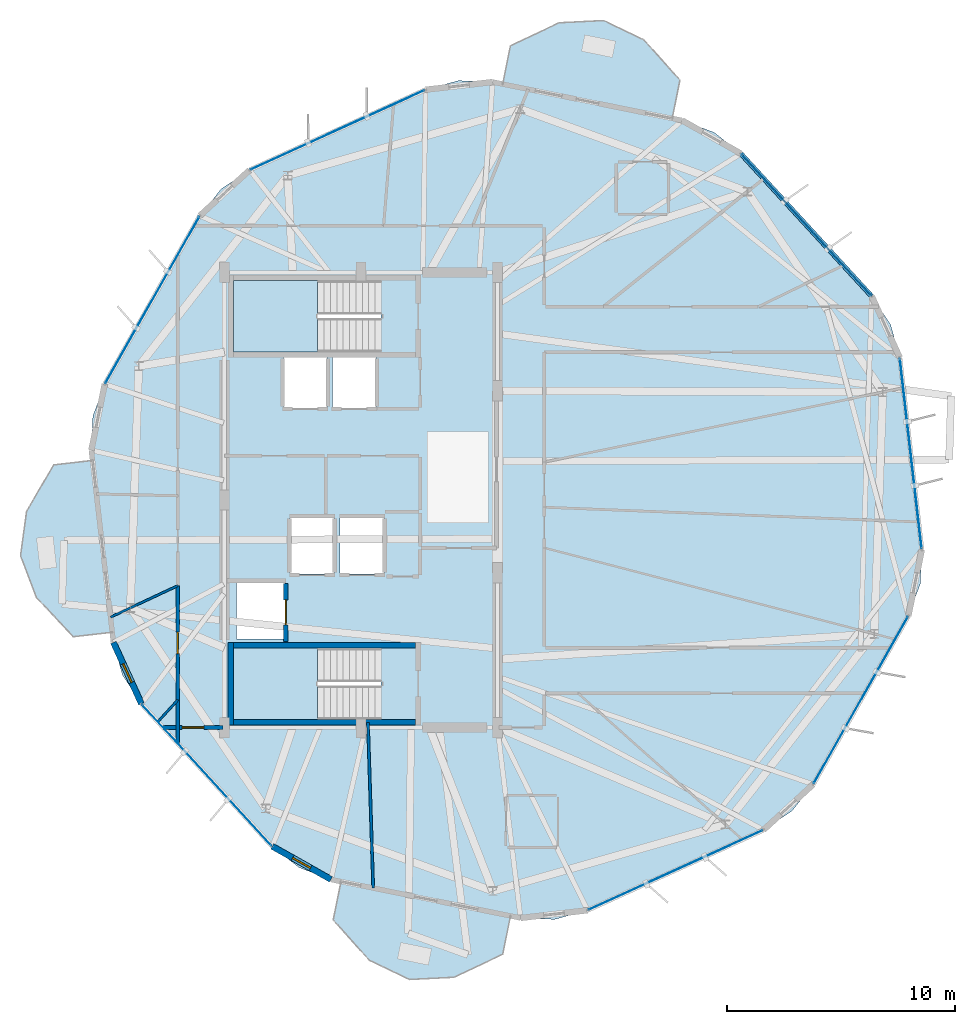
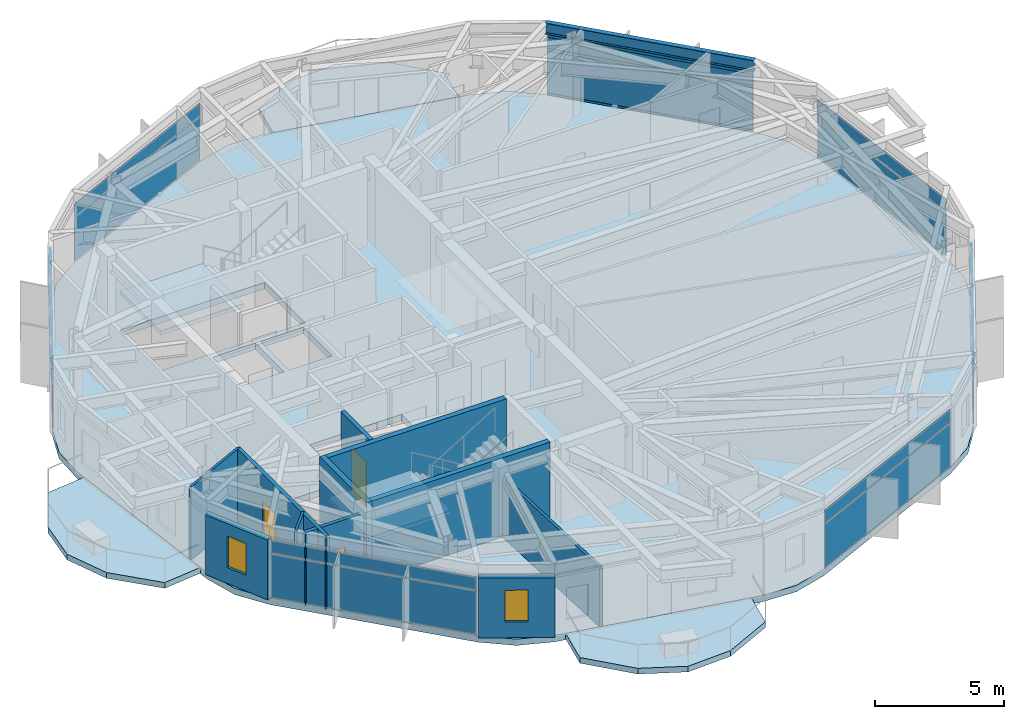
# One storey, part 16 of 23: 14 plates, 12 walls, 6 slabs, 3 doors, 3 members, 2 windows, 1 beam, 5 openings, 9 elements without a shape of their own.
"""IFC4 building model written with IfcOpenShell, lengths in metres."""

from ifc_helpers import new_model, si_unit, direction, frame, frame_2d, origin, origin_2d, place, context, subcontext, project, spatial, polyline, rectangle, hollow_rectangle, i_section, outline, extrude, material, layer, layer_set, material_profile, profile_set, type_object, element, fill, aggregate, save


model = new_model("IFC4")

# Units and contexts
model_context = context("Model", 3, precision=1e-05, world=origin(), true_north=direction((0.0, 1.0)))
body_context = subcontext(model_context, "Body", "Model", "MODEL_VIEW")
ifc_project = project(units=[si_unit("LENGTHUNIT", "METRE"), si_unit("AREAUNIT", "SQUARE_METRE"), si_unit("VOLUMEUNIT", "CUBIC_METRE"), si_unit("PLANEANGLEUNIT", "RADIAN"), si_unit("MASSUNIT", "GRAM", prefix="KILO")], contexts=[model_context])

# Site, building, storey
site_placement = place(None, origin())
site = spatial("IfcSite", under=ifc_project, at=site_placement, CompositionType="ELEMENT")
building_placement = place(site_placement, origin())
building = spatial("IfcBuilding", under=site, at=building_placement, Name="Soratama Intermodal Tower", CompositionType="ELEMENT")
storey_placement = place(building_placement, frame((0.0, 0.0, 261.25)))
storey = spatial("IfcBuildingStorey", under=building, at=storey_placement, Name="L66", CompositionType="ELEMENT", Elevation=261.25)

# Beam
ifc_material_1 = material(Name="Structural steel ASTM A992 Grade 50", Category="steel")
ifc_material_profile_1 = material_profile(ifc_material_1, i_section(OverallWidth=0.2099609375, OverallDepth=0.537109375, WebThickness=0.010986328125, FlangeThickness=0.017333984375, FilletRadius=0.012939453125, at=origin_2d()), Name="W21X68")
ifc_profile_set_1 = profile_set([ifc_material_profile_1], Name="Structural steel ASTM A992 Grade 50")
beam_type = type_object("IfcBeamType", Name="BM-SPN-W21X68", PredefinedType="SPANDREL", material=ifc_profile_set_1)
beam_placement = place(storey_placement, frame((61.047119140625, 33.95703125, 3.181396484375), z_axis=(-0.676048440126, 0.736857181958, 0.0), x_axis=(-0.736857181958, -0.676048440126, 0.0)))
element("IfcBeam", 1, at=beam_placement, inside=storey, type_object=beam_type, Name="BS-L66-F10", PredefinedType="SPANDREL", context=body_context, shape_type="SweptSolid", body=[
    extrude(i_section(OverallWidth=0.2099609375, OverallDepth=0.537109375, WebThickness=0.010986328125, FlangeThickness=0.017333984375, FilletRadius=0.012939453125, at=origin_2d()), origin(), (0.0, 0.0, 1.0), 8.49951171875),
])

# Curtain wall, members
ifc_material_2 = material(Name="Double-glazed aluminium curtain wall", Category="aluminium")
ifc_layer_1 = layer(ifc_material_2, 0.159912109375)
ifc_layer_set_1 = layer_set([ifc_layer_1], Name="Double-glazed aluminium curtain wall")
curtain_wall_type = type_object("IfcCurtainWallType", Name="CW-SYS-5", PredefinedType="NOTDEFINED", material=ifc_layer_set_1)
curtain_wall_1_placement = place(storey_placement, origin())
curtain_wall_1 = element("IfcCurtainWall", 2, at=curtain_wall_1_placement, inside=storey, type_object=curtain_wall_type, Name="L66 Faceted Curtain Wall F10", PredefinedType="NOTDEFINED")
ifc_material_3 = material(Name="Anodised aluminium AA 6063-T6", Category="aluminium")
ifc_material_profile_2 = material_profile(ifc_material_3, hollow_rectangle(XDim=0.06005859375, YDim=0.1298828125, WallThickness=0.0048828125, InnerFilletRadius=0.0048828125, OuterFilletRadius=0.010009765625, at=origin_2d()), Name="CWT130X60X5")
ifc_profile_set_2 = profile_set([ifc_material_profile_2], Name="Anodised aluminium AA 6063-T6")
member_type = type_object("IfcMemberType", Name="TT-CWT-2", PredefinedType="USERDEFINED", material=ifc_profile_set_2)
member_1_placement = place(storey_placement, frame((61.0068359375, 34.00146484375, 0.030029296875), z_axis=(-0.676112401775, 0.736798493596, 0.0), x_axis=(-0.736798493596, -0.676112401775, 0.0)))
member_1 = element("IfcMember", 3, at=member_1_placement, type_object=member_type, Name="CW-5 transom 1.1", ObjectType="TRANSOM", PredefinedType="USERDEFINED", context=body_context, shape_type="SweptSolid", body=[
    extrude(hollow_rectangle(XDim=0.06005859375, YDim=0.1298828125, WallThickness=0.0048828125, InnerFilletRadius=0.0048828125, OuterFilletRadius=0.010009765625, at=origin_2d()), origin(), (0.0, 0.0, 1.0), 8.3798828125),
])
member_2_placement = place(storey_placement, frame((61.0068359375, 34.00146484375, 2.14990234375), z_axis=(-0.676112401775, 0.736798493596, 0.0), x_axis=(-0.736798493596, -0.676112401775, 0.0)))
member_2 = element("IfcMember", 4, at=member_2_placement, type_object=member_type, Name="CW-5 transom 1.2", ObjectType="TRANSOM", PredefinedType="USERDEFINED", context=body_context, shape_type="SweptSolid", body=[
    extrude(hollow_rectangle(XDim=0.06005859375, YDim=0.1298828125, WallThickness=0.0048828125, InnerFilletRadius=0.0048828125, OuterFilletRadius=0.010009765625, at=origin_2d()), origin(), (0.0, 0.0, 1.0), 8.3798828125),
])
member_3_placement = place(storey_placement, frame((61.0068359375, 34.00146484375, 2.799072265625), z_axis=(-0.676112401775, 0.736798493596, 0.0), x_axis=(-0.736798493596, -0.676112401775, 0.0)))
member_3 = element("IfcMember", 5, at=member_3_placement, type_object=member_type, Name="CW-5 transom 1.3", ObjectType="TRANSOM", PredefinedType="USERDEFINED", context=body_context, shape_type="SweptSolid", body=[
    extrude(hollow_rectangle(XDim=0.06005859375, YDim=0.1298828125, WallThickness=0.0048828125, InnerFilletRadius=0.0048828125, OuterFilletRadius=0.010009765625, at=origin_2d()), origin(), (0.0, 0.0, 1.0), 8.3798828125),
])

# Curtain wall, plates
curtain_wall_2_placement = place(storey_placement, origin())
curtain_wall_2 = element("IfcCurtainWall", 6, at=curtain_wall_2_placement, inside=storey, type_object=curtain_wall_type, Name="L66 Faceted Curtain Wall F02", PredefinedType="NOTDEFINED")
ifc_material_4 = material(Name="Low-E laminated double glazing", Category="glass")
ifc_layer_2 = layer(ifc_material_4, 0.02001953125)
ifc_layer_set_2 = layer_set([ifc_layer_2], Name="Low-E laminated double glazing")
plate_type = type_object("IfcPlateType", Name="PT-CWP-5", PredefinedType="CURTAIN_PANEL", material=ifc_layer_set_2)
plate_1_placement = place(storey_placement, frame((37.573974609375, 41.264892578125, 0.06005859375), z_axis=(0.0, 0.0, 1.0), x_axis=(-0.909671383951, -0.415328753182, 0.0)))
plate_1 = element("IfcPlate", 7, at=plate_1_placement, type_object=plate_type, Name="CW-5 panel 1.1", PredefinedType="CURTAIN_PANEL", context=body_context, shape_type="SweptSolid", body=[
    extrude(rectangle(XDim=8.3798828125, YDim=0.028076171875, at=origin_2d()), origin(), (0.0, 0.0, 1.0), 2.06005859375),
])
plate_2_placement = place(storey_placement, frame((37.573974609375, 41.264892578125, 2.18017578125), z_axis=(0.0, 0.0, 1.0), x_axis=(-0.909671383951, -0.415328753182, 0.0)))
plate_2 = element("IfcPlate", 8, at=plate_2_placement, type_object=plate_type, Name="CW-5 panel 1.2", PredefinedType="CURTAIN_PANEL", context=body_context, shape_type="SweptSolid", body=[
    extrude(rectangle(XDim=8.3798828125, YDim=0.028076171875, at=origin_2d()), origin(), (0.0, 0.0, 1.0), 0.589111328125),
])
aggregate(curtain_wall_2, [plate_1, plate_2])

curtain_wall_3_placement = place(storey_placement, origin())
curtain_wall_3 = element("IfcCurtainWall", 9, at=curtain_wall_3_placement, inside=storey, type_object=curtain_wall_type, Name="L66 Faceted Curtain Wall F03", PredefinedType="NOTDEFINED")
plate_3_placement = place(storey_placement, frame((29.431884765625, 33.793701171875, 0.06005859375), z_axis=(0.0, 0.0, 1.0), x_axis=(-0.491819985146, -0.870696906053, 0.0)))
plate_3 = element("IfcPlate", 10, at=plate_3_placement, type_object=plate_type, Name="CW-5 panel 1.1", PredefinedType="CURTAIN_PANEL", context=body_context, shape_type="SweptSolid", body=[
    extrude(rectangle(XDim=8.3798828125, YDim=0.028076171875, at=origin_2d()), origin(), (0.0, 0.0, 1.0), 2.06005859375),
])
plate_4_placement = place(storey_placement, frame((29.431884765625, 33.793701171875, 2.18017578125), z_axis=(0.0, 0.0, 1.0), x_axis=(-0.491819985146, -0.870696906053, 0.0)))
plate_4 = element("IfcPlate", 11, at=plate_4_placement, type_object=plate_type, Name="CW-5 panel 1.2", PredefinedType="CURTAIN_PANEL", context=body_context, shape_type="SweptSolid", body=[
    extrude(rectangle(XDim=8.3798828125, YDim=0.028076171875, at=origin_2d()), origin(), (0.0, 0.0, 1.0), 0.589111328125),
])
aggregate(curtain_wall_3, [plate_3, plate_4])

curtain_wall_4_placement = place(storey_placement, origin())
curtain_wall_4 = element("IfcCurtainWall", 12, at=curtain_wall_4_placement, inside=storey, type_object=curtain_wall_type, Name="L66 Faceted Curtain Wall F05", PredefinedType="NOTDEFINED")
plate_5_placement = place(storey_placement, frame((31.825927734375, 12.911376953125, 0.06005859375), z_axis=(0.0, 0.0, 1.0), x_axis=(0.676107585991, -0.736802912702, 0.0)))
plate_5 = element("IfcPlate", 13, at=plate_5_placement, type_object=plate_type, Name="CW-5 panel 1.1", PredefinedType="CURTAIN_PANEL", context=body_context, shape_type="SweptSolid", body=[
    extrude(rectangle(XDim=8.3798828125, YDim=0.028076171875, at=origin_2d()), origin(), (0.0, 0.0, 1.0), 2.06005859375),
])
plate_6_placement = place(storey_placement, frame((31.825927734375, 12.911376953125, 2.18017578125), z_axis=(0.0, 0.0, 1.0), x_axis=(0.676107585991, -0.736802912702, 0.0)))
plate_6 = element("IfcPlate", 14, at=plate_6_placement, type_object=plate_type, Name="CW-5 panel 1.2", PredefinedType="CURTAIN_PANEL", context=body_context, shape_type="SweptSolid", body=[
    extrude(rectangle(XDim=8.3798828125, YDim=0.028076171875, at=origin_2d()), origin(), (0.0, 0.0, 1.0), 0.589111328125),
])
aggregate(curtain_wall_4, [plate_5, plate_6])

curtain_wall_5_placement = place(storey_placement, origin())
curtain_wall_5 = element("IfcCurtainWall", 15, at=curtain_wall_5_placement, inside=storey, type_object=curtain_wall_type, Name="L66 Faceted Curtain Wall F07", PredefinedType="NOTDEFINED")
plate_7_placement = place(storey_placement, frame((52.426025390625, 8.735107421875, 0.06005859375), z_axis=(0.0, 0.0, 1.0), x_axis=(0.909671383951, 0.415328753182, 0.0)))
plate_7 = element("IfcPlate", 16, at=plate_7_placement, type_object=plate_type, Name="CW-5 panel 1.1", PredefinedType="CURTAIN_PANEL", context=body_context, shape_type="SweptSolid", body=[
    extrude(rectangle(XDim=8.3798828125, YDim=0.028076171875, at=origin_2d()), origin(), (0.0, 0.0, 1.0), 2.06005859375),
])
plate_8_placement = place(storey_placement, frame((52.426025390625, 8.735107421875, 2.18017578125), z_axis=(0.0, 0.0, 1.0), x_axis=(0.909671383951, 0.415328753182, 0.0)))
plate_8 = element("IfcPlate", 17, at=plate_8_placement, type_object=plate_type, Name="CW-5 panel 1.2", PredefinedType="CURTAIN_PANEL", context=body_context, shape_type="SweptSolid", body=[
    extrude(rectangle(XDim=8.3798828125, YDim=0.028076171875, at=origin_2d()), origin(), (0.0, 0.0, 1.0), 0.589111328125),
])
aggregate(curtain_wall_5, [plate_7, plate_8])

curtain_wall_6_placement = place(storey_placement, origin())
curtain_wall_6 = element("IfcCurtainWall", 18, at=curtain_wall_6_placement, inside=storey, type_object=curtain_wall_type, Name="L66 Faceted Curtain Wall F08", PredefinedType="NOTDEFINED")
plate_9_placement = place(storey_placement, frame((60.568115234375, 16.206298828125, 0.06005859375), z_axis=(0.0, 0.0, 1.0), x_axis=(0.491819985146, 0.870696906053, 0.0)))
plate_9 = element("IfcPlate", 19, at=plate_9_placement, type_object=plate_type, Name="CW-5 panel 1.1", PredefinedType="CURTAIN_PANEL", context=body_context, shape_type="SweptSolid", body=[
    extrude(rectangle(XDim=8.3798828125, YDim=0.028076171875, at=origin_2d()), origin(), (0.0, 0.0, 1.0), 2.06005859375),
])
plate_10_placement = place(storey_placement, frame((60.568115234375, 16.206298828125, 2.18017578125), z_axis=(0.0, 0.0, 1.0), x_axis=(0.491819985146, 0.870696906053, 0.0)))
plate_10 = element("IfcPlate", 20, at=plate_10_placement, type_object=plate_type, Name="CW-5 panel 1.2", PredefinedType="CURTAIN_PANEL", context=body_context, shape_type="SweptSolid", body=[
    extrude(rectangle(XDim=8.3798828125, YDim=0.028076171875, at=origin_2d()), origin(), (0.0, 0.0, 1.0), 0.589111328125),
])
aggregate(curtain_wall_6, [plate_9, plate_10])

curtain_wall_7_placement = place(storey_placement, origin())
curtain_wall_7 = element("IfcCurtainWall", 21, at=curtain_wall_7_placement, inside=storey, type_object=curtain_wall_type, Name="L66 Faceted Curtain Wall F09", PredefinedType="NOTDEFINED")
plate_11_placement = place(storey_placement, frame((62.763671875, 27.036376953125, 0.06005859375), z_axis=(0.0, 0.0, 1.0), x_axis=(-0.113896641634, 0.993492604414, 0.0)))
plate_11 = element("IfcPlate", 22, at=plate_11_placement, type_object=plate_type, Name="CW-5 panel 1.1", PredefinedType="CURTAIN_PANEL", context=body_context, shape_type="SweptSolid", body=[
    extrude(rectangle(XDim=8.3798828125, YDim=0.028076171875, at=origin_2d()), origin(), (0.0, 0.0, 1.0), 2.06005859375),
])
plate_12_placement = place(storey_placement, frame((62.763671875, 27.036376953125, 2.18017578125), z_axis=(0.0, 0.0, 1.0), x_axis=(-0.113896641634, 0.993492604414, 0.0)))
plate_12 = element("IfcPlate", 23, at=plate_12_placement, type_object=plate_type, Name="CW-5 panel 1.2", PredefinedType="CURTAIN_PANEL", context=body_context, shape_type="SweptSolid", body=[
    extrude(rectangle(XDim=8.3798828125, YDim=0.028076171875, at=origin_2d()), origin(), (0.0, 0.0, 1.0), 0.589111328125),
])
aggregate(curtain_wall_7, [plate_11, plate_12])

# Plate
plate_13_placement = place(storey_placement, frame((58.174072265625, 37.088623046875, 0.06005859375), z_axis=(0.0, 0.0, 1.0), x_axis=(-0.676107585991, 0.736802912702, 0.0)))
plate_13 = element("IfcPlate", 24, at=plate_13_placement, type_object=plate_type, Name="CW-5 panel 1.1", PredefinedType="CURTAIN_PANEL", context=body_context, shape_type="SweptSolid", body=[
    extrude(rectangle(XDim=8.3798828125, YDim=0.028076171875, at=origin_2d()), origin(), (0.0, 0.0, 1.0), 2.06005859375),
])

plate_14_placement = place(storey_placement, frame((58.174072265625, 37.088623046875, 2.18017578125), z_axis=(0.0, 0.0, 1.0), x_axis=(-0.676107585991, 0.736802912702, 0.0)))
plate_14 = element("IfcPlate", 25, at=plate_14_placement, type_object=plate_type, Name="CW-5 panel 1.2", PredefinedType="CURTAIN_PANEL", context=body_context, shape_type="SweptSolid", body=[
    extrude(rectangle(XDim=8.3798828125, YDim=0.028076171875, at=origin_2d()), origin(), (0.0, 0.0, 1.0), 0.589111328125),
])

aggregate(curtain_wall_1, [member_1, member_2, member_3, plate_13, plate_14])

# Slabs
ifc_material_5 = material(Name="Concrete f'c 42 MPa", Category="concrete")
ifc_layer_3 = layer(ifc_material_5, 0.27001953125)
ifc_layer_set_3 = layer_set([ifc_layer_3], Name="Concrete f'c 42 MPa")
slab_type_1 = type_object("IfcSlabType", Name="SL-EXT-BAL1", PredefinedType="FLOOR", material=ifc_layer_set_3)
slab_1_placement = place(storey_placement, frame((0.0, 0.0, -0.27001953125)))
element("IfcSlab", 26, at=slab_1_placement, inside=storey, type_object=slab_type_1, Name="L66 Planted Balcony North 1", PredefinedType="FLOOR", context=body_context, shape_type="SweptSolid", body=[
    extrude(outline(polyline([(52.276611328125, 41.768310546875), (44.828369140625, 43.2783203125), (45.170166015625, 44.964111328125), (47.313232421875, 45.9736328125), (49.271728515625, 46.0712890625), (51.037353515625, 45.218505859375), (52.618408203125, 43.4541015625), (52.276611328125, 41.768310546875)])), origin(), (0.0, 0.0, 1.0), 0.27001953125),
])
slab_2_placement = place(storey_placement, frame((0.0, 0.0, -0.27001953125)))
element("IfcSlab", 27, at=slab_2_placement, inside=storey, type_object=slab_type_1, Name="L66 Planted Balcony West 2", PredefinedType="FLOOR", context=body_context, shape_type="SweptSolid", body=[
    extrude(outline(polyline([(26.8037109375, 26.73876953125), (27.669189453125, 19.1884765625), (25.96044921875, 18.992431640625), (24.338134765625, 20.718994140625), (23.639892578125, 22.55126953125), (23.9052734375, 24.494140625), (25.0947265625, 26.542724609375), (26.8037109375, 26.73876953125)])), origin(), (0.0, 0.0, 1.0), 0.27001953125),
])
slab_3_placement = place(storey_placement, frame((0.0, 0.0, -0.27001953125)))
element("IfcSlab", 28, at=slab_3_placement, inside=storey, type_object=slab_type_1, Name="L66 Planted Balcony South 3", PredefinedType="FLOOR", context=body_context, shape_type="SweptSolid", body=[
    extrude(outline(polyline([(37.723388671875, 8.231689453125), (45.171630859375, 6.7216796875), (44.829833984375, 5.035888671875), (42.686767578125, 4.0263671875), (40.728271484375, 3.9287109375), (38.962646484375, 4.781494140625), (37.381591796875, 6.5458984375), (37.723388671875, 8.231689453125)])), origin(), (0.0, 0.0, 1.0), 0.27001953125),
])

# Stair, slab
ifc_material_6 = material(Name="Concrete f'c 42 MPa", Category="concrete")
stair_type = type_object("IfcStairType", Name="ST-CORE-DOGLEG", PredefinedType="HALF_TURN_STAIR", material=ifc_material_6)
stair_1_placement = place(storey_placement, origin())
stair_1 = element("IfcStair", 29, at=stair_1_placement, inside=storey, type_object=stair_type, Name="L66 ST-1", PredefinedType="HALF_TURN_STAIR")
ifc_material_7 = material(Name="Concrete f'c 42 MPa", Category="concrete")
ifc_layer_4 = layer(ifc_material_7, 0.219970703125)
ifc_layer_set_4 = layer_set([ifc_layer_4], Name="Concrete f'c 42 MPa")
slab_type_2 = type_object("IfcSlabType", Name="SL-STAIR-LAND", PredefinedType="LANDING", material=ifc_layer_set_4)
slab_4_placement = place(storey_placement, frame((0.0, 0.0, 1.675048828125)))
slab_4 = element("IfcSlab", 30, at=slab_4_placement, type_object=slab_type_2, Name="ST-1 landing 1", PredefinedType="LANDING", context=body_context, shape_type="SweptSolid", body=[
    extrude(outline(polyline([(36.699951171875, 18.5), (33.0, 18.5), (33.0, 15.35009765625), (36.699951171875, 15.35009765625), (36.699951171875, 18.5)])), origin(), (0.0, 0.0, 1.0), 0.199951171875),
])
aggregate(stair_1, [slab_4])

stair_2_placement = place(storey_placement, origin())
stair_2 = element("IfcStair", 31, at=stair_2_placement, inside=storey, type_object=stair_type, Name="L66 ST-2", PredefinedType="HALF_TURN_STAIR")
slab_5_placement = place(storey_placement, frame((0.0, 0.0, 1.675048828125)))
slab_5 = element("IfcSlab", 32, at=slab_5_placement, type_object=slab_type_2, Name="ST-2 landing 1", PredefinedType="LANDING", context=body_context, shape_type="SweptSolid", body=[
    extrude(outline(polyline([(36.699951171875, 34.64990234375), (33.0, 34.64990234375), (33.0, 31.5), (36.699951171875, 31.5), (36.699951171875, 34.64990234375)])), origin(), (0.0, 0.0, 1.0), 0.199951171875),
])
aggregate(stair_2, [slab_5])

# Slab
ifc_material_8 = material(Name="Concrete f'c 42 MPa", Category="concrete")
ifc_layer_5 = layer(ifc_material_8, 0.280029296875)
ifc_layer_set_5 = layer_set([ifc_layer_5], Name="Concrete f'c 42 MPa")
slab_type_3 = type_object("IfcSlabType", Name="SL-TWR-280", PredefinedType="FLOOR", material=ifc_layer_set_5)
slab_6_placement = place(storey_placement, frame((0.0, 0.0, -0.300048828125)))
element("IfcSlab", 33, at=slab_6_placement, inside=storey, type_object=slab_type_3, Name="L66 Structural Floor Slab", PredefinedType="FLOOR", context=body_context, shape_type="SweptSolid", body=[
    extrude(outline(polyline([(55.300537109375, 40.219970703125), (54.12451171875, 41.154052734375), (52.717529296875, 41.678955078125), (44.38720703125, 43.367919921875), (42.886962890625, 43.43212890625), (41.43994140625, 43.02978515625), (33.7080078125, 39.499755859375), (32.456298828125, 38.669921875), (31.522216796875, 37.493896484375), (27.341796875, 30.09326171875), (26.81689453125, 28.686279296875), (26.75244140625, 27.185791015625), (27.720458984375, 18.7412109375), (28.122802734375, 17.29443359375), (28.95263671875, 16.042724609375), (34.699462890625, 9.780029296875), (35.87548828125, 8.845947265625), (37.282470703125, 8.321044921875), (45.61279296875, 6.632080078125), (47.113037109375, 6.56787109375), (48.56005859375, 6.97021484375), (56.2919921875, 10.500244140625), (57.543701171875, 11.330078125), (58.477783203125, 12.506103515625), (62.658203125, 19.90673828125), (63.18310546875, 21.313720703125), (63.24755859375, 22.814208984375), (62.279541015625, 31.2587890625), (61.877197265625, 32.70556640625), (61.04736328125, 33.957275390625), (55.300537109375, 40.219970703125)]), holes=[polyline([(33.0, 15.35009765625), (39.47509765625, 15.35009765625), (39.47509765625, 18.5), (33.0, 18.5), (33.0, 15.35009765625)]), polyline([(35.260009765625, 21.409912109375), (33.139892578125, 21.409912109375), (33.139892578125, 18.889892578125), (35.260009765625, 18.889892578125), (35.260009765625, 21.409912109375)]), polyline([(37.409912109375, 24.260009765625), (35.489990234375, 24.260009765625), (35.489990234375, 21.739990234375), (37.409912109375, 21.739990234375), (37.409912109375, 24.260009765625)]), polyline([(39.610107421875, 24.260009765625), (37.68994140625, 24.260009765625), (37.68994140625, 21.739990234375), (39.610107421875, 21.739990234375), (39.610107421875, 24.260009765625)]), polyline([(37.110107421875, 31.260009765625), (35.18994140625, 31.260009765625), (35.18994140625, 29.0400390625), (37.110107421875, 29.0400390625), (37.110107421875, 31.260009765625)]), polyline([(39.260009765625, 31.260009765625), (37.340087890625, 31.260009765625), (37.340087890625, 29.0400390625), (39.260009765625, 29.0400390625), (39.260009765625, 31.260009765625)]), polyline([(33.0, 34.64990234375), (33.0, 31.5), (39.47509765625, 31.5), (39.47509765625, 34.64990234375), (33.0, 34.64990234375)])]), origin(), (0.0, 0.0, 1.0), 0.300048828125),
])

# Wall, opening, window
ifc_material_9 = material(Name="Concrete f'c 42 MPa", Category="concrete")
ifc_layer_6 = layer(ifc_material_9, 0.27001953125)
ifc_layer_set_6 = layer_set([ifc_layer_6], Name="Concrete f'c 42 MPa")
wall_type_1 = type_object("IfcWallType", Name="EW-CRN-270", PredefinedType="SOLIDWALL", material=ifc_layer_set_6)
wall_1_placement = place(storey_placement, frame((27.720458984375, 18.7412109375, 0.0), z_axis=(0.0, 0.0, 1.0), x_axis=(0.415364895304, -0.909654881672, 0.0)))
wall_1 = element("IfcWall", 34, at=wall_1_placement, inside=storey, type_object=wall_type_1, Name="L66 Corner Closure Wall 04", PredefinedType="SOLIDWALL", context=body_context, shape_type="SweptSolid", body=[
    extrude(rectangle(XDim=2.966552734375, YDim=0.27001953125, at=frame_2d((1.4833984375, 0.0))), origin(), (0.0, 0.0, 1.0), 2.8291015625),
])
opening_1_placement = place(wall_1_placement, frame((1.033203125, 0.0, 0.75)))
opening_1 = element("IfcOpeningElement", 35, at=opening_1_placement, cuts=wall_1, Name="Opening WN-6", PredefinedType="OPENING", context=body_context, shape_type="SweptSolid", body=[
    extrude(rectangle(XDim=0.89990234375, YDim=1.5, at=frame_2d((0.449951171875, 0.75))), frame((0.0, 0.14501953125, 0.0), z_axis=(0.0, -1.0, 0.0), x_axis=(1.0, 0.0, 0.0)), (0.0, 0.0, 1.0), 0.2900390625),
])
ifc_material_10 = material(Name="Double-glazed aluminium window", Category="aluminium")
window_type = type_object("IfcWindowType", Name="WN-FAC-900", PartitioningType="SINGLE_PANEL", PredefinedType="WINDOW", material=ifc_material_10)
window_1_placement = place(opening_1_placement, origin())
window_1 = element("IfcWindow", 36, at=window_1_placement, inside=storey, type_object=window_type, Name="L66 Corner Window 04", OverallHeight=1.5, OverallWidth=0.89990234375, PartitioningType="SINGLE_PANEL", PredefinedType="WINDOW", context=body_context, shape_type="SweptSolid", body=[
    extrude(rectangle(XDim=0.89990234375, YDim=1.5, at=frame_2d((0.449951171875, 0.75))), frame((0.0, 0.030029296875, 0.0), z_axis=(0.0, -1.0, 0.0), x_axis=(1.0, 0.0, 0.0)), (0.0, 0.0, 1.0), 0.06005859375),
])
fill(opening_1, window_1)

wall_2_placement = place(storey_placement, frame((34.699462890625, 9.780029296875, 0.0), z_axis=(0.0, 0.0, 1.0), x_axis=(0.870703816421, -0.491807751128, 0.0)))
wall_2 = element("IfcWall", 37, at=wall_2_placement, inside=storey, type_object=wall_type_1, Name="L66 Corner Closure Wall 05", PredefinedType="SOLIDWALL", context=body_context, shape_type="SweptSolid", body=[
    extrude(rectangle(XDim=2.966552734375, YDim=0.27001953125, at=frame_2d((1.4833984375, 0.0))), origin(), (0.0, 0.0, 1.0), 2.8291015625),
])
opening_2_placement = place(wall_2_placement, frame((1.033203125, 0.0, 0.75)))
opening_2 = element("IfcOpeningElement", 38, at=opening_2_placement, cuts=wall_2, Name="Opening WN-6", PredefinedType="OPENING", context=body_context, shape_type="SweptSolid", body=[
    extrude(rectangle(XDim=0.89990234375, YDim=1.5, at=frame_2d((0.449951171875, 0.75))), frame((0.0, 0.14501953125, 0.0), z_axis=(0.0, -1.0, 0.0), x_axis=(1.0, 0.0, 0.0)), (0.0, 0.0, 1.0), 0.2900390625),
])
window_2_placement = place(opening_2_placement, origin())
window_2 = element("IfcWindow", 39, at=window_2_placement, inside=storey, type_object=window_type, Name="L66 Corner Window 05", OverallHeight=1.5, OverallWidth=0.89990234375, PartitioningType="SINGLE_PANEL", PredefinedType="WINDOW", context=body_context, shape_type="SweptSolid", body=[
    extrude(rectangle(XDim=0.89990234375, YDim=1.5, at=frame_2d((0.449951171875, 0.75))), frame((0.0, 0.030029296875, 0.0), z_axis=(0.0, -1.0, 0.0), x_axis=(1.0, 0.0, 0.0)), (0.0, 0.0, 1.0), 0.06005859375),
])
fill(opening_2, window_2)

# Wall, opening, door
ifc_material_11 = material(Name="Fire-rated gypsum stud partition", Category="concrete")
ifc_layer_7 = layer(ifc_material_11, 0.159912109375)
ifc_layer_set_7 = layer_set([ifc_layer_7], Name="Fire-rated gypsum stud partition")
wall_type_2 = type_object("IfcWallType", Name="IW-PART-R160", PredefinedType="PARTITIONING", material=ifc_layer_set_7)
wall_3_placement = place(storey_placement, frame((30.550048828125, 16.2099609375, 0.0), z_axis=(0.0, 0.0, 1.0), x_axis=(0.0, 1.0, 0.0)))
wall_3 = element("IfcWall", 40, at=wall_3_placement, inside=storey, type_object=wall_type_2, Name="L66 Partition W-L66-TP017", PredefinedType="PARTITIONING", context=body_context, shape_type="SweptSolid", body=[
    extrude(rectangle(XDim=5.02392578125, YDim=0.159912109375, at=frame_2d((2.511962890625, 0.0))), origin(), (0.0, 0.0, 1.0), 3.449951171875),
])
opening_3_placement = place(wall_3_placement, frame((2.037109375, 0.0, 0.0)))
opening_3 = element("IfcOpeningElement", 41, at=opening_3_placement, cuts=wall_3, Name="Opening ID-3", PredefinedType="OPENING", context=body_context, shape_type="SweptSolid", body=[
    extrude(rectangle(XDim=0.949951171875, YDim=2.14990234375, at=frame_2d((0.47509765625, 1.074951171875))), frame((0.0, 0.08984375, 0.0), z_axis=(0.0, -1.0, 0.0), x_axis=(1.0, 0.0, 0.0)), (0.0, 0.0, 1.0), 0.179931640625),
])
ifc_material_12 = material(Name="Solid hardwood acoustic door", Category="wood")
door_type_1 = type_object("IfcDoorType", Name="DR-ROOM-950", OperationType="NOTDEFINED", PredefinedType="DOOR", material=ifc_material_12)
door_1_placement = place(opening_3_placement, origin())
door_1 = element("IfcDoor", 42, at=door_1_placement, inside=storey, type_object=door_type_1, Name="L66 Door D-L66-TP009", OperationType="SINGLE_SWING_RIGHT", OverallHeight=2.14990234375, OverallWidth=0.949951171875, PredefinedType="DOOR", context=body_context, shape_type="SweptSolid", body=[
    extrude(rectangle(XDim=0.949951171875, YDim=2.14990234375, at=frame_2d((0.47509765625, 1.074951171875))), frame((0.0, 0.02490234375, 0.0), z_axis=(0.0, -1.0, 0.0), x_axis=(1.0, 0.0, 0.0)), (0.0, 0.0, 1.0), 0.050048828125),
])
fill(opening_3, door_1)

wall_4_placement = place(storey_placement, frame((32.530029296875, 15.0, 0.0), z_axis=(0.0, 0.0, 1.0), x_axis=(-1.0, 0.0, 0.0)))
wall_4 = element("IfcWall", 43, at=wall_4_placement, inside=storey, type_object=wall_type_2, Name="L66 Partition W-L66-TP030", PredefinedType="PARTITIONING", context=body_context, shape_type="SweptSolid", body=[
    extrude(rectangle(XDim=2.62109375, YDim=0.159912109375, at=frame_2d((1.310546875, 0.0))), origin(), (0.0, 0.0, 1.0), 3.449951171875),
])
opening_4_placement = place(wall_4_placement, frame((0.8359375, 0.0, 0.0)))
opening_4 = element("IfcOpeningElement", 44, at=opening_4_placement, cuts=wall_4, Name="Opening ID-3", PredefinedType="OPENING", context=body_context, shape_type="SweptSolid", body=[
    extrude(rectangle(XDim=0.949951171875, YDim=2.14990234375, at=frame_2d((0.47509765625, 1.074951171875))), frame((0.0, 0.08984375, 0.0), z_axis=(0.0, -1.0, 0.0), x_axis=(1.0, 0.0, 0.0)), (0.0, 0.0, 1.0), 0.179931640625),
])
door_2_placement = place(opening_4_placement, origin())
door_2 = element("IfcDoor", 45, at=door_2_placement, inside=storey, type_object=door_type_1, Name="L66 Door D-L66-TP016", OperationType="SINGLE_SWING_LEFT", OverallHeight=2.14990234375, OverallWidth=0.949951171875, PredefinedType="DOOR", context=body_context, shape_type="SweptSolid", body=[
    extrude(rectangle(XDim=0.949951171875, YDim=2.14990234375, at=frame_2d((0.47509765625, 1.074951171875))), frame((0.0, 0.02490234375, 0.0), z_axis=(0.0, -1.0, 0.0), x_axis=(1.0, 0.0, 0.0)), (0.0, 0.0, 1.0), 0.050048828125),
])
fill(opening_4, door_2)

# Walls
wall_5_placement = place(storey_placement, frame((30.550048828125, 14.302001953125, 0.0), z_axis=(0.0, 0.0, 1.0), x_axis=(0.0, 1.0, 0.0)))
element("IfcWall", 46, at=wall_5_placement, inside=storey, type_object=wall_type_2, Name="L66 Partition W-L66-TP045", PredefinedType="PARTITIONING", context=body_context, shape_type="SweptSolid", body=[
    extrude(rectangle(XDim=1.907958984375, YDim=0.159912109375, at=frame_2d((0.9541015625, 0.0))), origin(), (0.0, 0.0, 1.0), 3.449951171875),
])
ifc_material_13 = material(Name="Fire-rated gypsum stud partition", Category="concrete")
ifc_layer_8 = layer(ifc_material_13, 0.10009765625)
ifc_layer_set_8 = layer_set([ifc_layer_8], Name="Fire-rated gypsum stud partition")
wall_type_3 = type_object("IfcWallType", Name="IW-PART-S100", PredefinedType="PARTITIONING", material=ifc_layer_set_8)
wall_6_placement = place(storey_placement, frame((30.550048828125, 21.23388671875, 0.0), z_axis=(0.0, 0.0, 1.0), x_axis=(-0.905731763404, -0.423851356917, 0.0)))
element("IfcWall", 47, at=wall_6_placement, inside=storey, type_object=wall_type_3, Name="L66 Partition W-L66-TP028", PredefinedType="PARTITIONING", context=body_context, shape_type="SweptSolid", body=[
    extrude(rectangle(XDim=3.264892578125, YDim=0.10009765625, at=frame_2d((1.63232421875, 0.0))), origin(), (0.0, 0.0, 1.0), 3.449951171875),
])
wall_7_placement = place(storey_placement, frame((30.550048828125, 16.2099609375, 0.0), z_axis=(0.0, 0.0, 1.0), x_axis=(-0.67551976153, -0.737341882563, 0.0)))
element("IfcWall", 48, at=wall_7_placement, inside=storey, type_object=wall_type_3, Name="L66 Partition W-L66-TP053", PredefinedType="PARTITIONING", context=body_context, shape_type="SweptSolid", body=[
    extrude(rectangle(XDim=1.29541015625, YDim=0.10009765625, at=frame_2d((0.647705078125, 0.0))), origin(), (0.0, 0.0, 1.0), 3.449951171875),
])
ifc_material_14 = material(Name="Fire-rated gypsum stud partition", Category="concrete")
ifc_layer_9 = layer(ifc_material_14, 0.1201171875)
ifc_layer_set_9 = layer_set([ifc_layer_9], Name="Fire-rated gypsum stud partition")
wall_type_4 = type_object("IfcWallType", Name="IW-PART-S120", PredefinedType="PARTITIONING", material=ifc_layer_set_9)
wall_8_placement = place(storey_placement, frame((38.907958984375, 15.22998046875, 0.0), z_axis=(0.0, 0.0, 1.0), x_axis=(0.031687554573, -0.999497823352, 0.0)))
element("IfcWall", 49, at=wall_8_placement, inside=storey, type_object=wall_type_4, Name="L66 Partition W-L66-TP011", PredefinedType="PARTITIONING", context=body_context, shape_type="SweptSolid", body=[
    extrude(rectangle(XDim=7.28857421875, YDim=0.1201171875, at=frame_2d((3.644287109375, 0.0))), origin(), (0.0, 0.0, 1.0), 2.827880859375),
])

# Wall, opening, door
ifc_material_15 = material(Name="Concrete f'c 42 MPa", Category="concrete")
ifc_layer_10 = layer(ifc_material_15, 0.18505859375)
ifc_layer_set_10 = layer_set([ifc_layer_10], Name="Concrete f'c 42 MPa")
wall_type_5 = type_object("IfcWallType", Name="IW-SHAFT-185", PredefinedType="SOLIDWALL", material=ifc_layer_set_10)
wall_9_placement = place(storey_placement, frame((35.300048828125, 18.7900390625, 0.0), z_axis=(0.0, 0.0, 1.0), x_axis=(0.0, 1.0, 0.0)))
wall_9 = element("IfcWall", 50, at=wall_9_placement, inside=storey, type_object=wall_type_5, Name="L66 SVL-1 Hoistway Wall E", PredefinedType="SOLIDWALL", context=body_context, shape_type="SweptSolid", body=[
    extrude(rectangle(XDim=2.550048828125, YDim=0.18505859375, at=frame_2d((1.27490234375, 0.0))), origin(), (0.0, 0.0, 1.0), 3.449951171875),
])
opening_5_placement = place(wall_9_placement, frame((0.72509765625, 0.0, 0.0)))
opening_5 = element("IfcOpeningElement", 51, at=opening_5_placement, cuts=wall_9, Name="Opening LD-1", PredefinedType="OPENING", context=body_context, shape_type="SweptSolid", body=[
    extrude(rectangle(XDim=1.10009765625, YDim=2.14990234375, at=frame_2d((0.550048828125, 1.074951171875))), frame((0.0, 0.1025390625, 0.0), z_axis=(0.0, -1.0, 0.0), x_axis=(1.0, 0.0, 0.0)), (0.0, 0.0, 1.0), 0.205078125),
])
ifc_material_16 = material(Name="Steel fire door", Category="steel")
door_type_2 = type_object("IfcDoorType", Name="DR-LIFT-SLIDE", OperationType="NOTDEFINED", PredefinedType="DOOR", material=ifc_material_16)
door_3_placement = place(opening_5_placement, origin())
door_3 = element("IfcDoor", 52, at=door_3_placement, inside=storey, type_object=door_type_2, Name="L66 SVL-1 Sliding Landing Door", OperationType="SLIDING_TO_LEFT", OverallHeight=2.14990234375, OverallWidth=1.10009765625, PredefinedType="DOOR", context=body_context, shape_type="SweptSolid", body=[
    extrude(rectangle(XDim=1.10009765625, YDim=2.14990234375, at=frame_2d((0.550048828125, 1.074951171875))), frame((0.0, 0.02490234375, 0.0), z_axis=(0.0, -1.0, 0.0), x_axis=(1.0, 0.0, 0.0)), (0.0, 0.0, 1.0), 0.050048828125),
])
fill(opening_5, door_3)

# Walls
ifc_material_17 = material(Name="Concrete f'c 56 MPa", Category="concrete")
ifc_layer_11 = layer(ifc_material_17, 0.239990234375)
ifc_layer_set_11 = layer_set([ifc_layer_11], Name="Concrete f'c 56 MPa")
wall_type_6 = type_object("IfcWallType", Name="SW-STAIR-240", PredefinedType="SHEAR", material=ifc_layer_set_11)
wall_10_placement = place(storey_placement, frame((32.8798828125, 15.110107421875, 0.0), z_axis=(0.0, 0.0, 1.0), x_axis=(0.0, 1.0, 0.0)))
element("IfcWall", 53, at=wall_10_placement, inside=storey, type_object=wall_type_6, Name="L66 ST-1 Shaft Shear Wall W", PredefinedType="SHEAR", context=body_context, shape_type="SweptSolid", body=[
    extrude(rectangle(XDim=3.6298828125, YDim=0.239990234375, at=frame_2d((1.81494140625, 0.0))), origin(), (0.0, 0.0, 1.0), 3.75),
])
for number, where, z_axis, x_axis, name in (
    (54, (33.0, 15.22998046875, 0.0), (0.0, 0.0, 1.0), (1.0, 0.0, 0.0), "L66 ST-1 Shaft Shear Wall S"),
    (55, (33.0, 18.6201171875, 0.0), (0.0, 0.0, 1.0), (1.0, 0.0, 0.0), "L66 ST-1 Shaft Shear Wall N"),
):
    element("IfcWall", number, at=place(storey_placement, frame(where, z_axis=z_axis, x_axis=x_axis)), inside=storey, type_object=wall_type_6, Name=name, PredefinedType="SHEAR", context=body_context, shape_type="SweptSolid", body=[
        extrude(rectangle(XDim=8.0, YDim=0.239990234375, at=frame_2d((4.0, 0.0))), origin(), (0.0, 0.0, 1.0), 3.75),
    ])

save(model, "model.ifc")
